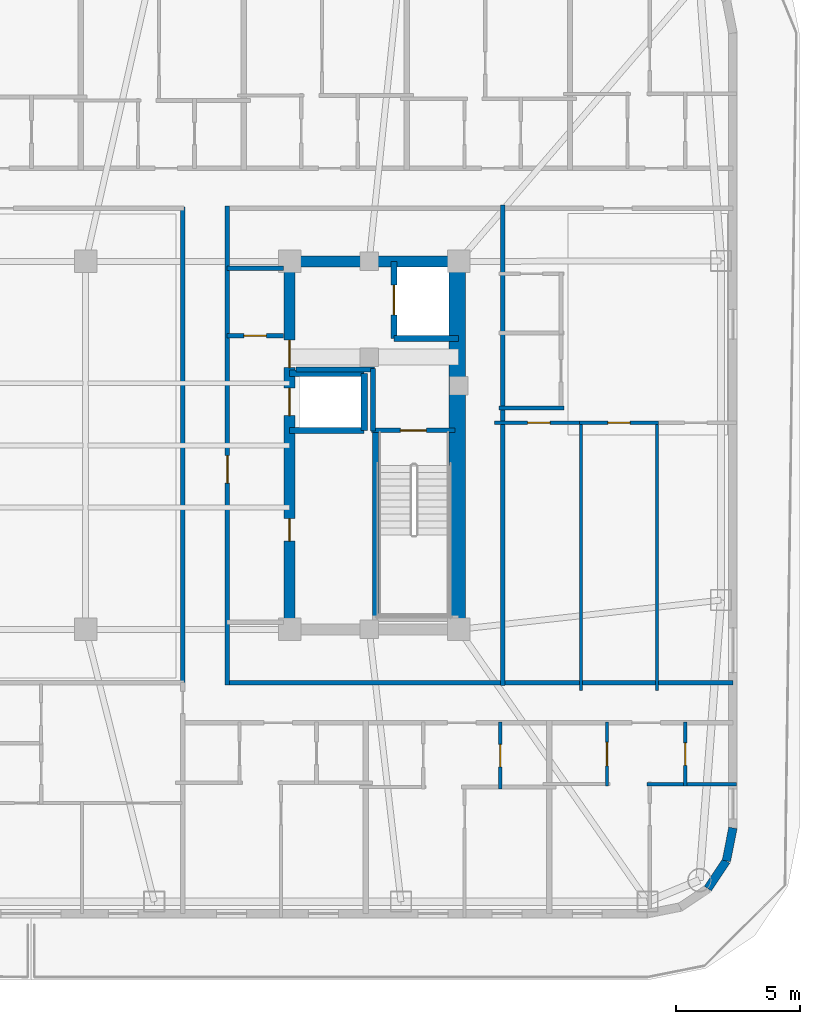
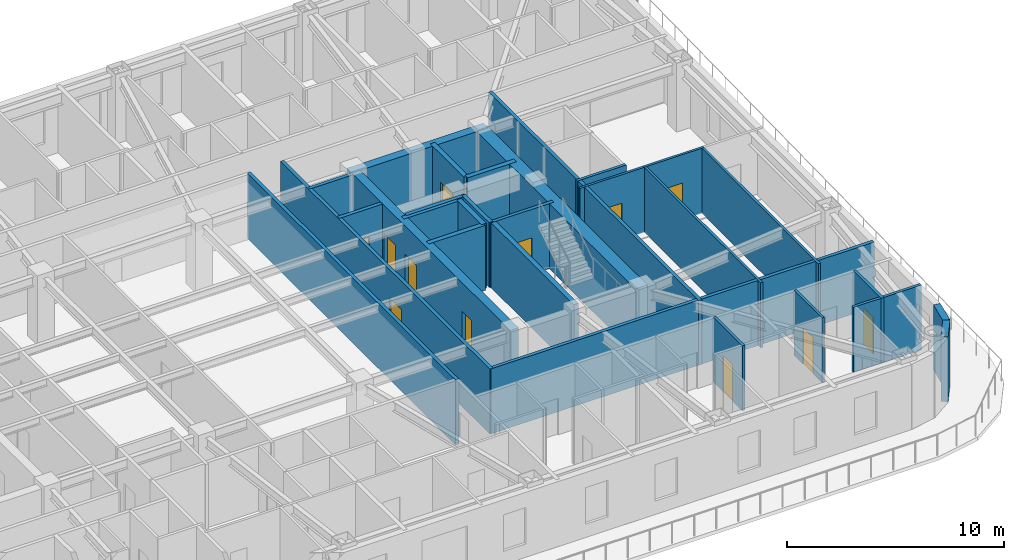
# One storey, part 6 of 15: 29 walls, 12 doors, 12 openings.
"""IFC4 building model written with IfcOpenShell, lengths in metres."""

from ifc_helpers import new_model, si_unit, direction, frame, frame_2d, origin, place, context, subcontext, project, spatial, rectangle, extrude, material, layer, layer_set, type_object, element, fill, save


model = new_model("IFC4")

# Units and contexts
model_context = context("Model", 3, precision=1e-05, world=origin(), true_north=direction((0.0, 1.0)))
body_context = subcontext(model_context, "Body", "Model", "MODEL_VIEW")
ifc_project = project(units=[si_unit("LENGTHUNIT", "METRE"), si_unit("AREAUNIT", "SQUARE_METRE"), si_unit("VOLUMEUNIT", "CUBIC_METRE"), si_unit("PLANEANGLEUNIT", "RADIAN"), si_unit("MASSUNIT", "GRAM", prefix="KILO")], contexts=[model_context])

# Site, building, storey
site_placement = place(None, origin())
site = spatial("IfcSite", under=ifc_project, at=site_placement, CompositionType="ELEMENT")
building_placement = place(site_placement, origin())
building = spatial("IfcBuilding", under=site, at=building_placement, Name="Voryun Gate Residences", CompositionType="ELEMENT")
storey_placement = place(building_placement, frame((0.0, 0.0, 231.39990234375)))
storey = spatial("IfcBuildingStorey", under=building, at=storey_placement, Name="L57", CompositionType="ELEMENT", Elevation=231.39990234375)

# Wall
ifc_material_1 = material(Name="Concrete C50/60", Category="concrete")
ifc_layer_1 = layer(ifc_material_1, 0.449951171875, Name="CW_CORE_450")
ifc_layer_set_1 = layer_set([ifc_layer_1], Name="Concrete C50/60")
wall_type_1 = type_object("IfcWallType", Name="CW_CORE_450", PredefinedType="SHEAR", material=ifc_layer_set_1)
wall_1_placement = place(storey_placement, frame((12.175048828125, 7.39990234375, 0.0), z_axis=(0.0, 0.0, 1.0), x_axis=(1.0, 0.0, 0.0)))
element("IfcWall", 1, at=wall_1_placement, inside=storey, type_object=wall_type_1, Name="L57 Core shear wall CW-L57-EN", PredefinedType="SHEAR", context=body_context, shape_type="SweptSolid", body=[
    extrude(rectangle(XDim=7.25, YDim=0.449951171875, at=frame_2d((3.625, 0.0))), origin(), (0.0, 0.0, 1.0), 3.650146484375),
])

# Wall, openings, doors
wall_2_placement = place(storey_placement, frame((12.39990234375, -7.39990234375, 0.0), z_axis=(0.0, 0.0, 1.0), x_axis=(0.0, 1.0, 0.0)))
wall_2 = element("IfcWall", 2, at=wall_2_placement, inside=storey, type_object=wall_type_1, Name="L57 Core shear wall CW-L57-EW", PredefinedType="SHEAR", context=body_context, shape_type="SweptSolid", body=[
    extrude(rectangle(XDim=14.7998046875, YDim=0.449951171875, at=frame_2d((7.39990234375, 0.0))), origin(), (0.0, 0.0, 1.0), 3.650146484375),
])
opening_1_placement = place(wall_2_placement, frame((8.60009765625, 0.0, 0.0)))
opening_1 = element("IfcOpeningElement", 3, at=opening_1_placement, cuts=wall_2, Name="Opening LD2", PredefinedType="OPENING", context=body_context, shape_type="SweptSolid", body=[
    extrude(rectangle(XDim=1.10009765625, YDim=2.050048828125, at=frame_2d((0.550048828125, 1.02490234375))), frame((0.0, 0.235107421875, 0.0), z_axis=(0.0, -1.0, 0.0), x_axis=(1.0, 0.0, 0.0)), (0.0, 0.0, 1.0), 0.469970703125),
])
opening_2_placement = place(wall_2_placement, frame((10.530029296875, 0.0, 0.0)))
opening_2 = element("IfcOpeningElement", 4, at=opening_2_placement, cuts=wall_2, Name="Opening D-FD60-2", PredefinedType="OPENING", context=body_context, shape_type="SweptSolid", body=[
    extrude(rectangle(XDim=1.10009765625, YDim=2.050048828125, at=frame_2d((0.550048828125, 1.02490234375))), frame((0.0, 0.235107421875, 0.0), z_axis=(0.0, -1.0, 0.0), x_axis=(1.0, 0.0, 0.0)), (0.0, 0.0, 1.0), 0.469970703125),
])
opening_3_placement = place(wall_2_placement, frame((3.550048828125, 0.0, 0.0)))
opening_3 = element("IfcOpeningElement", 5, at=opening_3_placement, cuts=wall_2, Name="Opening D-FD60-4", PredefinedType="OPENING", context=body_context, shape_type="SweptSolid", body=[
    extrude(rectangle(XDim=0.89990234375, YDim=2.050048828125, at=frame_2d((0.449951171875, 1.02490234375))), frame((0.0, 0.235107421875, 0.0), z_axis=(0.0, -1.0, 0.0), x_axis=(1.0, 0.0, 0.0)), (0.0, 0.0, 1.0), 0.469970703125),
])
ifc_material_2 = material(Name="Painted steel fire door", Category="steel")
door_type_1 = type_object("IfcDoorType", Name="DR_FD60_FFLOB_1100", OperationType="NOTDEFINED", PredefinedType="DOOR", material=ifc_material_2)
door_1_placement = place(opening_2_placement, origin())
door_1 = element("IfcDoor", 6, at=door_1_placement, inside=storey, type_object=door_type_1, Name="Door DR-L57-CLOB-E", OperationType="SINGLE_SWING_RIGHT", OverallHeight=2.050048828125, OverallWidth=1.10009765625, PredefinedType="DOOR", context=body_context, shape_type="SweptSolid", body=[
    extrude(rectangle(XDim=1.10009765625, YDim=2.050048828125, at=frame_2d((0.550048828125, 1.02490234375))), frame((0.0, 0.02490234375, 0.0), z_axis=(0.0, -1.0, 0.0), x_axis=(1.0, 0.0, 0.0)), (0.0, 0.0, 1.0), 0.050048828125),
])
fill(opening_2, door_1)
ifc_material_3 = material(Name="Painted steel fire door", Category="steel")
door_type_2 = type_object("IfcDoorType", Name="DR_FD60_RISER_900", OperationType="NOTDEFINED", PredefinedType="DOOR", material=ifc_material_3)
door_2_placement = place(opening_3_placement, origin())
door_2 = element("IfcDoor", 7, at=door_2_placement, inside=storey, type_object=door_type_2, Name="Door DR-L57-RECE-HI", OperationType="SINGLE_SWING_RIGHT", OverallHeight=2.050048828125, OverallWidth=0.89990234375, PredefinedType="DOOR", context=body_context, shape_type="SweptSolid", body=[
    extrude(rectangle(XDim=0.89990234375, YDim=2.050048828125, at=frame_2d((0.449951171875, 1.02490234375))), frame((0.0, 0.02490234375, 0.0), z_axis=(0.0, -1.0, 0.0), x_axis=(1.0, 0.0, 0.0)), (0.0, 0.0, 1.0), 0.050048828125),
])
fill(opening_3, door_2)
ifc_material_4 = material(Name="Anodised aluminium", Category="aluminium")
door_type_3 = type_object("IfcDoorType", Name="DR_LD_PASS_1100", OperationType="NOTDEFINED", PredefinedType="DOOR", material=ifc_material_4)
door_3_placement = place(opening_1_placement, origin())
door_3 = element("IfcDoor", 8, at=door_3_placement, inside=storey, type_object=door_type_3, Name="Lift EL-P8 sliding landing door L57", OperationType="SLIDING_TO_LEFT", OverallHeight=2.050048828125, OverallWidth=1.10009765625, PredefinedType="DOOR", context=body_context, shape_type="SweptSolid", body=[
    extrude(rectangle(XDim=1.10009765625, YDim=2.050048828125, at=frame_2d((0.550048828125, 1.02490234375))), frame((0.0, 0.02490234375, 0.0), z_axis=(0.0, -1.0, 0.0), x_axis=(1.0, 0.0, 0.0)), (0.0, 0.0, 1.0), 0.050048828125),
])
fill(opening_1, door_3)

# Wall
ifc_material_5 = material(Name="Concrete C60/75", Category="concrete")
ifc_layer_2 = layer(ifc_material_5, 0.64990234375, Name="CW_CORE_650")
ifc_layer_set_2 = layer_set([ifc_layer_2], Name="Concrete C60/75")
wall_type_2 = type_object("IfcWallType", Name="CW_CORE_650", PredefinedType="SHEAR", material=ifc_layer_set_2)
wall_3_placement = place(storey_placement, frame((19.14501953125, -7.39990234375, 0.0), z_axis=(0.0, 0.0, 1.0), x_axis=(0.0, 1.0, 0.0)))
element("IfcWall", 9, at=wall_3_placement, inside=storey, type_object=wall_type_2, Name="L57 Core shear wall CW-L57-EE", PredefinedType="SHEAR", context=body_context, shape_type="SweptSolid", body=[
    extrude(rectangle(XDim=14.7998046875, YDim=0.64990234375, at=frame_2d((7.39990234375, 0.0))), origin(), (0.0, 0.0, 1.0), 3.650146484375),
])

# Wall, opening, door
ifc_material_6 = material(Name="Gypsum acoustic fireboard")
ifc_layer_3 = layer(ifc_material_6, 0.179931640625, Name="W_CORR_RATED_180")
ifc_layer_set_3 = layer_set([ifc_layer_3], Name="Gypsum acoustic fireboard")
wall_type_3 = type_object("IfcWallType", Name="W_CORR_RATED_180", PredefinedType="PARTITIONING", material=ifc_layer_set_3)
wall_4_placement = place(storey_placement, frame((15.699951171875, 0.60009765625, 0.0), z_axis=(0.0, 0.0, 1.0), x_axis=(1.0, 0.0, 0.0)))
wall_4 = element("IfcWall", 10, at=wall_4_placement, inside=storey, type_object=wall_type_3, Name="Partition wall WP-L57-STV-E", PredefinedType="PARTITIONING", context=body_context, shape_type="SweptSolid", body=[
    extrude(rectangle(XDim=3.360107421875, YDim=0.179931640625, at=frame_2d((1.68017578125, 0.0))), origin(), (0.0, 0.0, 1.0), 3.650146484375),
])
opening_4_placement = place(wall_4_placement, frame((1.155029296875, 0.0, 0.0)))
opening_4 = element("IfcOpeningElement", 11, at=opening_4_placement, cuts=wall_4, Name="Opening D-FD60-1", PredefinedType="OPENING", context=body_context, shape_type="SweptSolid", body=[
    extrude(rectangle(XDim=1.050048828125, YDim=2.050048828125, at=frame_2d((0.52490234375, 1.02490234375))), frame((0.0, 0.099853515625, 0.0), z_axis=(0.0, -1.0, 0.0), x_axis=(1.0, 0.0, 0.0)), (0.0, 0.0, 1.0), 0.199951171875),
])
ifc_material_7 = material(Name="Painted steel fire door", Category="steel")
door_type_4 = type_object("IfcDoorType", Name="DR_FD60_STAIR_1050", OperationType="NOTDEFINED", PredefinedType="DOOR", material=ifc_material_7)
door_4_placement = place(opening_4_placement, origin())
door_4 = element("IfcDoor", 12, at=door_4_placement, inside=storey, type_object=door_type_4, Name="Door DR-L57-ST-E", OperationType="SINGLE_SWING_RIGHT", OverallHeight=2.050048828125, OverallWidth=1.050048828125, PredefinedType="DOOR", context=body_context, shape_type="SweptSolid", body=[
    extrude(rectangle(XDim=1.050048828125, YDim=2.050048828125, at=frame_2d((0.52490234375, 1.02490234375))), frame((0.0, 0.02490234375, 0.0), z_axis=(0.0, -1.0, 0.0), x_axis=(1.0, 0.0, 0.0)), (0.0, 0.0, 1.0), 0.050048828125),
])
fill(opening_4, door_4)

# Wall
wall_5_placement = place(storey_placement, frame((9.8798828125, 7.1201171875, 0.0), z_axis=(0.0, 0.0, 1.0), x_axis=(1.0, 0.0, 0.0)))
element("IfcWall", 13, at=wall_5_placement, inside=storey, type_object=wall_type_3, Name="Partition wall WP-L57-PLBN-E", PredefinedType="PARTITIONING", context=body_context, shape_type="SweptSolid", body=[
    extrude(rectangle(XDim=2.27001953125, YDim=0.179931640625, at=frame_2d((1.135009765625, 0.0))), origin(), (0.0, 0.0, 1.0), 3.650146484375),
])

# Wall, opening, door
wall_6_placement = place(storey_placement, frame((9.89990234375, -9.6298828125, 0.0), z_axis=(0.0, 0.0, 1.0), x_axis=(0.0, 1.0, 0.0)))
wall_6 = element("IfcWall", 14, at=wall_6_placement, inside=storey, type_object=wall_type_3, Name="Partition wall WP-L57-PLBE-FULL", PredefinedType="PARTITIONING", context=body_context, shape_type="SweptSolid", body=[
    extrude(rectangle(XDim=19.259765625, YDim=0.179931640625, at=frame_2d((9.6298828125, 0.0))), origin(), (0.0, 0.0, 1.0), 3.650146484375),
])
opening_5_placement = place(wall_6_placement, frame((8.116943359375, 0.0, 0.0)))
opening_5 = element("IfcOpeningElement", 15, at=opening_5_placement, cuts=wall_6, Name="Opening D-FD60-2", PredefinedType="OPENING", context=body_context, shape_type="SweptSolid", body=[
    extrude(rectangle(XDim=1.10009765625, YDim=2.050048828125, at=frame_2d((0.550048828125, 1.02490234375))), frame((0.0, 0.099853515625, 0.0), z_axis=(0.0, -1.0, 0.0), x_axis=(1.0, 0.0, 0.0)), (0.0, 0.0, 1.0), 0.199951171875),
])
door_5_placement = place(opening_5_placement, origin())
door_5 = element("IfcDoor", 16, at=door_5_placement, inside=storey, type_object=door_type_1, Name="Door DR-L57-PLBE-COR", OperationType="SINGLE_SWING_RIGHT", OverallHeight=2.050048828125, OverallWidth=1.10009765625, PredefinedType="DOOR", context=body_context, shape_type="SweptSolid", body=[
    extrude(rectangle(XDim=1.10009765625, YDim=2.050048828125, at=frame_2d((0.550048828125, 1.02490234375))), frame((0.0, 0.02490234375, 0.0), z_axis=(0.0, -1.0, 0.0), x_axis=(1.0, 0.0, 0.0)), (0.0, 0.0, 1.0), 0.050048828125),
])
fill(opening_5, door_5)

# Walls
wall_7_placement = place(storey_placement, frame((9.8798828125, -9.5400390625, 0.0), z_axis=(0.0, 0.0, 1.0), x_axis=(1.0, 0.0, 0.0)))
element("IfcWall", 17, at=wall_7_placement, inside=storey, type_object=wall_type_3, Name="Partition wall WP-L57-CWING-ES", PredefinedType="PARTITIONING", context=body_context, shape_type="SweptSolid", body=[
    extrude(rectangle(XDim=20.35009765625, YDim=0.179931640625, at=frame_2d((10.175048828125, 0.0))), origin(), (0.0, 0.0, 1.0), 3.650146484375),
])
wall_8_placement = place(storey_placement, frame((8.10009765625, -9.580078125, 0.0), z_axis=(0.0, 0.0, 1.0), x_axis=(0.0, 1.0, 0.0)))
element("IfcWall", 18, at=wall_8_placement, inside=storey, type_object=wall_type_3, Name="Partition wall WP-L57-Z3E", PredefinedType="PARTITIONING", context=body_context, shape_type="SweptSolid", body=[
    extrude(rectangle(XDim=19.16015625, YDim=0.179931640625, at=frame_2d((9.580078125, 0.0))), origin(), (0.0, 0.0, 1.0), 3.650146484375),
])
wall_9_placement = place(storey_placement, frame((20.969970703125, -9.659912109375, 0.0), z_axis=(0.0, 0.0, 1.0), x_axis=(0.0, 1.0, 0.0)))
element("IfcWall", 19, at=wall_9_placement, inside=storey, type_object=wall_type_3, Name="Partition wall WP-L57-ECOR", PredefinedType="PARTITIONING", context=body_context, shape_type="SweptSolid", body=[
    extrude(rectangle(XDim=19.31982421875, YDim=0.179931640625, at=frame_2d((9.659912109375, 0.0))), origin(), (0.0, 0.0, 1.0), 3.650146484375),
])
ifc_material_8 = material(Name="Charcoal terracotta masonry", Category="masonry")
ifc_layer_4 = layer(ifc_material_8, 0.340087890625, Name="W_EXT_TERRACOTTA_340")
ifc_layer_set_4 = layer_set([ifc_layer_4], Name="Charcoal terracotta masonry")
wall_type_4 = type_object("IfcWallType", Name="W_EXT_TERRACOTTA_340", PredefinedType="ELEMENTEDWALL", material=ifc_layer_set_4)
wall_10_placement = place(storey_placement, frame((30.22998046875, -15.38330078125, 0.0), z_axis=(0.0, 0.0, 1.0), x_axis=(-0.195110379894, -0.98078129043, 0.0)))
element("IfcWall", 20, at=wall_10_placement, inside=storey, type_object=wall_type_4, Name="Exterior wall WEXT-L57-17", PredefinedType="ELEMENTEDWALL", context=body_context, shape_type="SweptSolid", body=[
    extrude(rectangle(XDim=1.35400390625, YDim=0.340087890625, at=frame_2d((0.677001953125, 0.0))), origin(), (0.0, 0.0, 1.0), 3.650146484375),
])
wall_11_placement = place(storey_placement, frame((29.9658203125, -16.711181640625, 0.0), z_axis=(0.0, 0.0, 1.0), x_axis=(-0.555584683399, -0.831459956686, 0.0)))
element("IfcWall", 21, at=wall_11_placement, inside=storey, type_object=wall_type_4, Name="Exterior wall WEXT-L57-18", PredefinedType="ELEMENTEDWALL", context=body_context, shape_type="SweptSolid", body=[
    extrude(rectangle(XDim=1.337158203125, YDim=0.340087890625, at=frame_2d((0.66845703125, 0.0))), origin(), (0.0, 0.0, 1.0), 3.650146484375),
])
ifc_material_9 = material(Name="Concrete C40/50", Category="concrete")
ifc_layer_5 = layer(ifc_material_9, 0.199951171875, Name="W_FF_LOBBY_200")
ifc_layer_set_5 = layer_set([ifc_layer_5], Name="Concrete C40/50")
wall_type_5 = type_object("IfcWallType", Name="W_FF_LOBBY_200", PredefinedType="PARTITIONING", material=ifc_layer_set_5)
wall_12_placement = place(storey_placement, frame((15.760009765625, 0.580078125, 0.0), z_axis=(0.0, 0.0, 1.0), x_axis=(0.0, 1.0, 0.0)))
element("IfcWall", 22, at=wall_12_placement, inside=storey, type_object=wall_type_5, Name="Partition wall WP-L57-FFP0-E", PredefinedType="PARTITIONING", context=body_context, shape_type="SweptSolid", body=[
    extrude(rectangle(XDim=2.52001953125, YDim=0.199951171875, at=frame_2d((1.260009765625, 0.0))), origin(), (0.0, 0.0, 1.0), 3.650146484375),
])
wall_13_placement = place(storey_placement, frame((12.659912109375, 3.06005859375, 0.0), z_axis=(0.0, 0.0, 1.0), x_axis=(1.0, 0.0, 0.0)))
element("IfcWall", 23, at=wall_13_placement, inside=storey, type_object=wall_type_5, Name="Partition wall WP-L57-FFPS-E", PredefinedType="PARTITIONING", context=body_context, shape_type="SweptSolid", body=[
    extrude(rectangle(XDim=3.16015625, YDim=0.199951171875, at=frame_2d((1.580078125, 0.0))), origin(), (0.0, 0.0, 1.0), 3.650146484375),
])

# Wall, opening, door
wall_14_placement = place(storey_placement, frame((9.8798828125, 4.409912109375, 0.0), z_axis=(0.0, 0.0, 1.0), x_axis=(1.0, 0.0, 0.0)))
wall_14 = element("IfcWall", 24, at=wall_14_placement, inside=storey, type_object=wall_type_5, Name="Partition wall WP-L57-CSFLKS-E", PredefinedType="PARTITIONING", context=body_context, shape_type="SweptSolid", body=[
    extrude(rectangle(XDim=2.27001953125, YDim=0.199951171875, at=frame_2d((1.135009765625, 0.0))), origin(), (0.0, 0.0, 1.0), 3.650146484375),
])
opening_6_placement = place(wall_14_placement, frame((0.68505859375, 0.0, 0.0)))
opening_6 = element("IfcOpeningElement", 25, at=opening_6_placement, cuts=wall_14, Name="Opening D-FD60-4", PredefinedType="OPENING", context=body_context, shape_type="SweptSolid", body=[
    extrude(rectangle(XDim=0.89990234375, YDim=2.050048828125, at=frame_2d((0.449951171875, 1.02490234375))), frame((0.0, 0.110107421875, 0.0), z_axis=(0.0, -1.0, 0.0), x_axis=(1.0, 0.0, 0.0)), (0.0, 0.0, 1.0), 0.219970703125),
])
door_6_placement = place(opening_6_placement, origin())
door_6 = element("IfcDoor", 26, at=door_6_placement, inside=storey, type_object=door_type_2, Name="Door DR-L57-CSFLK-E", OperationType="SINGLE_SWING_RIGHT", OverallHeight=2.050048828125, OverallWidth=0.89990234375, PredefinedType="DOOR", context=body_context, shape_type="SweptSolid", body=[
    extrude(rectangle(XDim=0.89990234375, YDim=2.050048828125, at=frame_2d((0.449951171875, 1.02490234375))), frame((0.0, 0.02490234375, 0.0), z_axis=(0.0, -1.0, 0.0), x_axis=(1.0, 0.0, 0.0)), (0.0, 0.0, 1.0), 0.050048828125),
])
fill(opening_6, door_6)

# Walls
ifc_material_10 = material(Name="Concrete C50/60", Category="concrete")
ifc_layer_6 = layer(ifc_material_10, 0.25, Name="W_SHAFT_RC250")
ifc_layer_set_6 = layer_set([ifc_layer_6], Name="Concrete C50/60")
wall_type_6 = type_object("IfcWallType", Name="W_SHAFT_RC250", PredefinedType="SOLIDWALL", material=ifc_layer_set_6)
wall_15_placement = place(storey_placement, frame((15.860107421875, -7.0849609375, 0.0), z_axis=(0.0, 0.0, 1.0), x_axis=(0.0, 1.0, 0.0)))
element("IfcWall", 27, at=wall_15_placement, inside=storey, type_object=wall_type_6, Name="L57 Stair shaft structural wall E-STL", PredefinedType="SOLIDWALL", context=body_context, shape_type="SweptSolid", body=[
    extrude(rectangle(XDim=7.68505859375, YDim=0.25, at=frame_2d((3.842529296875, 0.0))), origin(), (0.0, 0.0, 1.0), 3.650146484375),
])
wall_16_placement = place(storey_placement, frame((16.60009765625, 4.300048828125, 0.0), z_axis=(0.0, 0.0, 1.0), x_axis=(1.0, 0.0, 0.0)))
element("IfcWall", 28, at=wall_16_placement, inside=storey, type_object=wall_type_6, Name="Lift shaft wall WSH-L57-EL-FF-E1-S", PredefinedType="SOLIDWALL", context=body_context, shape_type="SweptSolid", body=[
    extrude(rectangle(XDim=2.599853515625, YDim=0.25, at=frame_2d((1.2998046875, 0.0))), origin(), (0.0, 0.0, 1.0), 3.650146484375),
])

# Wall, opening, door
wall_17_placement = place(storey_placement, frame((16.60009765625, 7.39990234375, 0.0), z_axis=(0.0, 0.0, 1.0), x_axis=(0.0, -1.0, 0.0)))
wall_17 = element("IfcWall", 29, at=wall_17_placement, inside=storey, type_object=wall_type_6, Name="Lift shaft wall WSH-L57-EL-FF-E1-W", PredefinedType="SOLIDWALL", context=body_context, shape_type="SweptSolid", body=[
    extrude(rectangle(XDim=3.099853515625, YDim=0.25, at=frame_2d((1.5498046875, 0.0))), origin(), (0.0, 0.0, 1.0), 3.650146484375),
])
opening_7_placement = place(wall_17_placement, frame((0.949951171875, 0.0, 0.0)))
opening_7 = element("IfcOpeningElement", 30, at=opening_7_placement, cuts=wall_17, Name="Opening LD1", PredefinedType="OPENING", context=body_context, shape_type="SweptSolid", body=[
    extrude(rectangle(XDim=1.199951171875, YDim=2.050048828125, at=frame_2d((0.60009765625, 1.02490234375))), frame((0.0, 0.135009765625, 0.0), z_axis=(0.0, -1.0, 0.0), x_axis=(1.0, 0.0, 0.0)), (0.0, 0.0, 1.0), 0.27001953125),
])
ifc_material_11 = material(Name="Anodised aluminium", Category="aluminium")
door_type_5 = type_object("IfcDoorType", Name="DR_LD_FF_1200", OperationType="NOTDEFINED", PredefinedType="DOOR", material=ifc_material_11)
door_7_placement = place(opening_7_placement, origin())
door_7 = element("IfcDoor", 31, at=door_7_placement, inside=storey, type_object=door_type_5, Name="Lift EL-FF-E1 sliding landing door L57", OperationType="SLIDING_TO_LEFT", OverallHeight=2.050048828125, OverallWidth=1.199951171875, PredefinedType="DOOR", context=body_context, shape_type="SweptSolid", body=[
    extrude(rectangle(XDim=1.199951171875, YDim=2.050048828125, at=frame_2d((0.60009765625, 1.02490234375))), frame((0.0, 0.02490234375, 0.0), z_axis=(0.0, -1.0, 0.0), x_axis=(1.0, 0.0, 0.0)), (0.0, 0.0, 1.0), 0.050048828125),
])
fill(opening_7, door_7)

# Walls
wall_18_placement = place(storey_placement, frame((12.39990234375, 0.60009765625, 0.0), z_axis=(0.0, 0.0, 1.0), x_axis=(1.0, 0.0, 0.0)))
element("IfcWall", 32, at=wall_18_placement, inside=storey, type_object=wall_type_6, Name="Lift shaft wall WSH-L57-EL-P8-S", PredefinedType="SOLIDWALL", context=body_context, shape_type="SweptSolid", body=[
    extrude(rectangle(XDim=3.0, YDim=0.25, at=frame_2d((1.5, 0.0))), origin(), (0.0, 0.0, 1.0), 3.650146484375),
])
wall_19_placement = place(storey_placement, frame((15.39990234375, 0.60009765625, 0.0), z_axis=(0.0, 0.0, 1.0), x_axis=(0.0, 1.0, 0.0)))
element("IfcWall", 33, at=wall_19_placement, inside=storey, type_object=wall_type_6, Name="Lift shaft wall WSH-L57-EL-P8-E", PredefinedType="SOLIDWALL", context=body_context, shape_type="SweptSolid", body=[
    extrude(rectangle(XDim=2.2998046875, YDim=0.25, at=frame_2d((1.14990234375, 0.0))), origin(), (0.0, 0.0, 1.0), 3.650146484375),
])
wall_20_placement = place(storey_placement, frame((15.39990234375, 2.89990234375, 0.0), z_axis=(0.0, 0.0, 1.0), x_axis=(-1.0, 0.0, 0.0)))
element("IfcWall", 34, at=wall_20_placement, inside=storey, type_object=wall_type_6, Name="Lift shaft wall WSH-L57-EL-P8-N", PredefinedType="SOLIDWALL", context=body_context, shape_type="SweptSolid", body=[
    extrude(rectangle(XDim=3.0, YDim=0.25, at=frame_2d((1.5, 0.0))), origin(), (0.0, 0.0, 1.0), 3.650146484375),
])

# Wall, opening, door
ifc_material_12 = material(Name="Gypsum acoustic partition")
ifc_layer_7 = layer(ifc_material_12, 0.125, Name="W_UNIT_PART_125")
ifc_layer_set_7 = layer_set([ifc_layer_7], Name="Gypsum acoustic partition")
wall_type_7 = type_object("IfcWallType", Name="W_UNIT_PART_125", PredefinedType="PARTITIONING", material=ifc_layer_set_7)
wall_21_placement = place(storey_placement, frame((25.160888671875, -13.702880859375, 0.0), z_axis=(0.0, 0.0, 1.0), x_axis=(0.0, 1.0, 0.0)))
wall_21 = element("IfcWall", 35, at=wall_21_placement, inside=storey, type_object=wall_type_7, Name="Partition wall WP-L57-S7-IVK", PredefinedType="PARTITIONING", context=body_context, shape_type="SweptSolid", body=[
    extrude(rectangle(XDim=2.572998046875, YDim=0.125, at=frame_2d((1.28662109375, 0.0))), origin(), (0.0, 0.0, 1.0), 3.650146484375),
])
opening_8_placement = place(wall_21_placement, frame((0.8115234375, 0.0, 0.0)))
opening_8 = element("IfcOpeningElement", 36, at=opening_8_placement, cuts=wall_21, Name="Opening D-INT-1", PredefinedType="OPENING", context=body_context, shape_type="SweptSolid", body=[
    extrude(rectangle(XDim=0.949951171875, YDim=2.050048828125, at=frame_2d((0.47509765625, 1.02490234375))), frame((0.0, 0.072509765625, 0.0), z_axis=(0.0, -1.0, 0.0), x_axis=(1.0, 0.0, 0.0)), (0.0, 0.0, 1.0), 0.14501953125),
])
ifc_material_13 = material(Name="Architectural oak veneer")
door_type_6 = type_object("IfcDoorType", Name="DR_INT_ROOM_950", OperationType="NOTDEFINED", PredefinedType="DOOR", material=ifc_material_13)
door_8_placement = place(opening_8_placement, origin())
door_8 = element("IfcDoor", 37, at=door_8_placement, inside=storey, type_object=door_type_6, Name="Door DR-L57-S7-DK", OperationType="SINGLE_SWING_LEFT", OverallHeight=2.050048828125, OverallWidth=0.949951171875, PredefinedType="DOOR", context=body_context, shape_type="SweptSolid", body=[
    extrude(rectangle(XDim=0.949951171875, YDim=2.050048828125, at=frame_2d((0.47509765625, 1.02490234375))), frame((0.0, 0.02490234375, 0.0), z_axis=(0.0, -1.0, 0.0), x_axis=(1.0, 0.0, 0.0)), (0.0, 0.0, 1.0), 0.050048828125),
])
fill(opening_8, door_8)

wall_22_placement = place(storey_placement, frame((20.64990234375, 0.909912109375, 0.0), z_axis=(0.0, 0.0, 1.0), x_axis=(1.0, 0.0, 0.0)))
wall_22 = element("IfcWall", 38, at=wall_22_placement, inside=storey, type_object=wall_type_7, Name="Partition wall WP-L57-E1-HZMB1", PredefinedType="PARTITIONING", context=body_context, shape_type="SweptSolid", body=[
    extrude(rectangle(XDim=3.53369140625, YDim=0.125, at=frame_2d((1.766845703125, 0.0))), origin(), (0.0, 0.0, 1.0), 3.650146484375),
])
opening_9_placement = place(wall_22_placement, frame((1.325439453125, 0.0, 0.0)))
opening_9 = element("IfcOpeningElement", 39, at=opening_9_placement, cuts=wall_22, Name="Opening D-INT-2", PredefinedType="OPENING", context=body_context, shape_type="SweptSolid", body=[
    extrude(rectangle(XDim=0.89990234375, YDim=2.050048828125, at=frame_2d((0.449951171875, 1.02490234375))), frame((0.0, 0.072509765625, 0.0), z_axis=(0.0, -1.0, 0.0), x_axis=(1.0, 0.0, 0.0)), (0.0, 0.0, 1.0), 0.14501953125),
])
ifc_material_14 = material(Name="Architectural oak veneer")
door_type_7 = type_object("IfcDoorType", Name="DR_INT_BATH_900", OperationType="NOTDEFINED", PredefinedType="DOOR", material=ifc_material_14)
door_9_placement = place(opening_9_placement, origin())
door_9 = element("IfcDoor", 40, at=door_9_placement, inside=storey, type_object=door_type_7, Name="Door DR-L57-E1-DMB", OperationType="SINGLE_SWING_LEFT", OverallHeight=2.050048828125, OverallWidth=0.89990234375, PredefinedType="DOOR", context=body_context, shape_type="SweptSolid", body=[
    extrude(rectangle(XDim=0.89990234375, YDim=2.050048828125, at=frame_2d((0.449951171875, 1.02490234375))), frame((0.0, 0.02490234375, 0.0), z_axis=(0.0, -1.0, 0.0), x_axis=(1.0, 0.0, 0.0)), (0.0, 0.0, 1.0), 0.050048828125),
])
fill(opening_9, door_9)

wall_23_placement = place(storey_placement, frame((24.05859375, 0.909912109375, 0.0), z_axis=(0.0, 0.0, 1.0), x_axis=(1.0, 0.0, 0.0)))
wall_23 = element("IfcWall", 41, at=wall_23_placement, inside=storey, type_object=wall_type_7, Name="Partition wall WP-L57-E1-HZMB2", PredefinedType="PARTITIONING", context=body_context, shape_type="SweptSolid", body=[
    extrude(rectangle(XDim=3.182861328125, YDim=0.125, at=frame_2d((1.59130859375, 0.0))), origin(), (0.0, 0.0, 1.0), 3.650146484375),
])
opening_10_placement = place(wall_23_placement, frame((1.1416015625, 0.0, 0.0)))
opening_10 = element("IfcOpeningElement", 42, at=opening_10_placement, cuts=wall_23, Name="Opening D-INT-2", PredefinedType="OPENING", context=body_context, shape_type="SweptSolid", body=[
    extrude(rectangle(XDim=0.89990234375, YDim=2.050048828125, at=frame_2d((0.449951171875, 1.02490234375))), frame((0.0, 0.072509765625, 0.0), z_axis=(0.0, -1.0, 0.0), x_axis=(1.0, 0.0, 0.0)), (0.0, 0.0, 1.0), 0.14501953125),
])
door_10_placement = place(opening_10_placement, origin())
door_10 = element("IfcDoor", 43, at=door_10_placement, inside=storey, type_object=door_type_7, Name="Door DR-L57-E1-DBD2", OperationType="SINGLE_SWING_RIGHT", OverallHeight=2.050048828125, OverallWidth=0.89990234375, PredefinedType="DOOR", context=body_context, shape_type="SweptSolid", body=[
    extrude(rectangle(XDim=0.89990234375, YDim=2.050048828125, at=frame_2d((0.449951171875, 1.02490234375))), frame((0.0, 0.02490234375, 0.0), z_axis=(0.0, -1.0, 0.0), x_axis=(1.0, 0.0, 0.0)), (0.0, 0.0, 1.0), 0.050048828125),
])
fill(opening_10, door_10)

# Walls
for number, where, z_axis, x_axis, name in (
    (44, (27.178955078125, -9.860107421875, 0.0), (0.0, 0.0, 1.0), (0.0, 1.0, 0.0), "Partition wall WP-L57-E1-VMB2"),
    (45, (24.12109375, -9.860107421875, 0.0), (0.0, 0.0, 1.0), (0.0, 1.0, 0.0), "Partition wall WP-L57-E1-VMB"),
):
    element("IfcWall", number, at=place(storey_placement, frame(where, z_axis=z_axis, x_axis=x_axis)), inside=storey, type_object=wall_type_7, Name=name, PredefinedType="PARTITIONING", context=body_context, shape_type="SweptSolid", body=[
        extrude(rectangle(XDim=10.830078125, YDim=0.125, at=frame_2d((5.4150390625, 0.0))), origin(), (0.0, 0.0, 1.0), 3.650146484375),
    ])

# Wall, opening, door
ifc_material_15 = material(Name="Gypsum moisture-resistant partition")
ifc_layer_8 = layer(ifc_material_15, 0.14990234375, Name="W_WET_PLUMB_150")
ifc_layer_set_8 = layer_set([ifc_layer_8], Name="Gypsum moisture-resistant partition")
wall_type_8 = type_object("IfcWallType", Name="W_WET_PLUMB_150", PredefinedType="PLUMBINGWALL", material=ifc_layer_set_8)
wall_24_placement = place(storey_placement, frame((20.87109375, -13.818115234375, 0.0), z_axis=(0.0, 0.0, 1.0), x_axis=(0.0, 1.0, 0.0)))
wall_24 = element("IfcWall", 46, at=wall_24_placement, inside=storey, type_object=wall_type_8, Name="Partition wall WP-L57-S6-IVB", PredefinedType="PLUMBINGWALL", context=body_context, shape_type="SweptSolid", body=[
    extrude(rectangle(XDim=2.688232421875, YDim=0.14990234375, at=frame_2d((1.34423828125, 0.0))), origin(), (0.0, 0.0, 1.0), 3.650146484375),
])
opening_11_placement = place(wall_24_placement, frame((0.89404296875, 0.0, 0.0)))
opening_11 = element("IfcOpeningElement", 47, at=opening_11_placement, cuts=wall_24, Name="Opening D-INT-2", PredefinedType="OPENING", context=body_context, shape_type="SweptSolid", body=[
    extrude(rectangle(XDim=0.89990234375, YDim=2.050048828125, at=frame_2d((0.449951171875, 1.02490234375))), frame((0.0, 0.0849609375, 0.0), z_axis=(0.0, -1.0, 0.0), x_axis=(1.0, 0.0, 0.0)), (0.0, 0.0, 1.0), 0.169921875),
])
door_11_placement = place(opening_11_placement, origin())
door_11 = element("IfcDoor", 48, at=door_11_placement, inside=storey, type_object=door_type_7, Name="Door DR-L57-S6-DB", OperationType="SINGLE_SWING_RIGHT", OverallHeight=2.050048828125, OverallWidth=0.89990234375, PredefinedType="DOOR", context=body_context, shape_type="SweptSolid", body=[
    extrude(rectangle(XDim=0.89990234375, YDim=2.050048828125, at=frame_2d((0.449951171875, 1.02490234375))), frame((0.0, 0.02490234375, 0.0), z_axis=(0.0, -1.0, 0.0), x_axis=(1.0, 0.0, 0.0)), (0.0, 0.0, 1.0), 0.050048828125),
])
fill(opening_11, door_11)

# Wall
wall_25_placement = place(storey_placement, frame((26.76708984375, -13.623046875, 0.0), z_axis=(0.0, 0.0, 1.0), x_axis=(1.0, 0.0, 0.0)))
element("IfcWall", 49, at=wall_25_placement, inside=storey, type_object=wall_type_8, Name="Partition wall WP-L57-S7-HZB", PredefinedType="PLUMBINGWALL", context=body_context, shape_type="SweptSolid", body=[
    extrude(rectangle(XDim=3.61279296875, YDim=0.14990234375, at=frame_2d((1.806396484375, 0.0))), origin(), (0.0, 0.0, 1.0), 3.650146484375),
])

# Wall, opening, door
wall_26_placement = place(storey_placement, frame((28.31689453125, -13.702880859375, 0.0), z_axis=(0.0, 0.0, 1.0), x_axis=(0.0, 1.0, 0.0)))
wall_26 = element("IfcWall", 50, at=wall_26_placement, inside=storey, type_object=wall_type_8, Name="Partition wall WP-L57-S7-IVB", PredefinedType="PLUMBINGWALL", context=body_context, shape_type="SweptSolid", body=[
    extrude(rectangle(XDim=2.572998046875, YDim=0.14990234375, at=frame_2d((1.28662109375, 0.0))), origin(), (0.0, 0.0, 1.0), 3.650146484375),
])
opening_12_placement = place(wall_26_placement, frame((0.83642578125, 0.0, 0.0)))
opening_12 = element("IfcOpeningElement", 51, at=opening_12_placement, cuts=wall_26, Name="Opening D-INT-2", PredefinedType="OPENING", context=body_context, shape_type="SweptSolid", body=[
    extrude(rectangle(XDim=0.89990234375, YDim=2.050048828125, at=frame_2d((0.449951171875, 1.02490234375))), frame((0.0, 0.0849609375, 0.0), z_axis=(0.0, -1.0, 0.0), x_axis=(1.0, 0.0, 0.0)), (0.0, 0.0, 1.0), 0.169921875),
])
door_12_placement = place(opening_12_placement, origin())
door_12 = element("IfcDoor", 52, at=door_12_placement, inside=storey, type_object=door_type_7, Name="Door DR-L57-S7-DB", OperationType="SINGLE_SWING_RIGHT", OverallHeight=2.050048828125, OverallWidth=0.89990234375, PredefinedType="DOOR", context=body_context, shape_type="SweptSolid", body=[
    extrude(rectangle(XDim=0.89990234375, YDim=2.050048828125, at=frame_2d((0.449951171875, 1.02490234375))), frame((0.0, 0.02490234375, 0.0), z_axis=(0.0, -1.0, 0.0), x_axis=(1.0, 0.0, 0.0)), (0.0, 0.0, 1.0), 0.050048828125),
])
fill(opening_12, door_12)

# Wall
wall_27_placement = place(storey_placement, frame((20.820068359375, 1.5, 0.0), z_axis=(0.0, 0.0, 1.0), x_axis=(1.0, 0.0, 0.0)))
element("IfcWall", 53, at=wall_27_placement, inside=storey, type_object=wall_type_8, Name="Partition wall WP-L57-E1-IBB", PredefinedType="PLUMBINGWALL", context=body_context, shape_type="SweptSolid", body=[
    extrude(rectangle(XDim=2.619873046875, YDim=0.14990234375, at=frame_2d((1.31005859375, 0.0))), origin(), (0.0, 0.0, 1.0), 3.650146484375),
])

save(model, "model.ifc")
